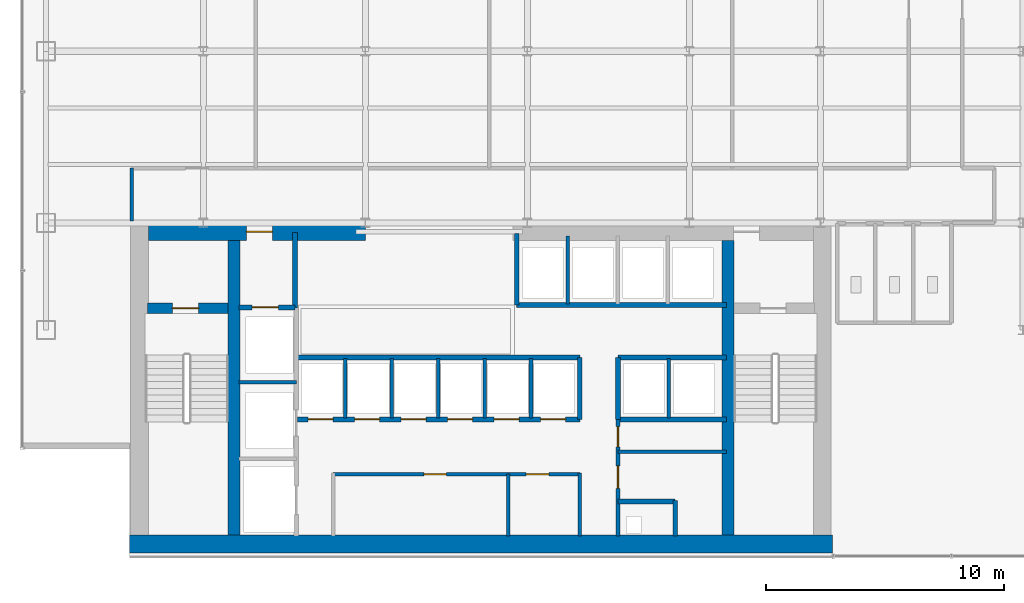
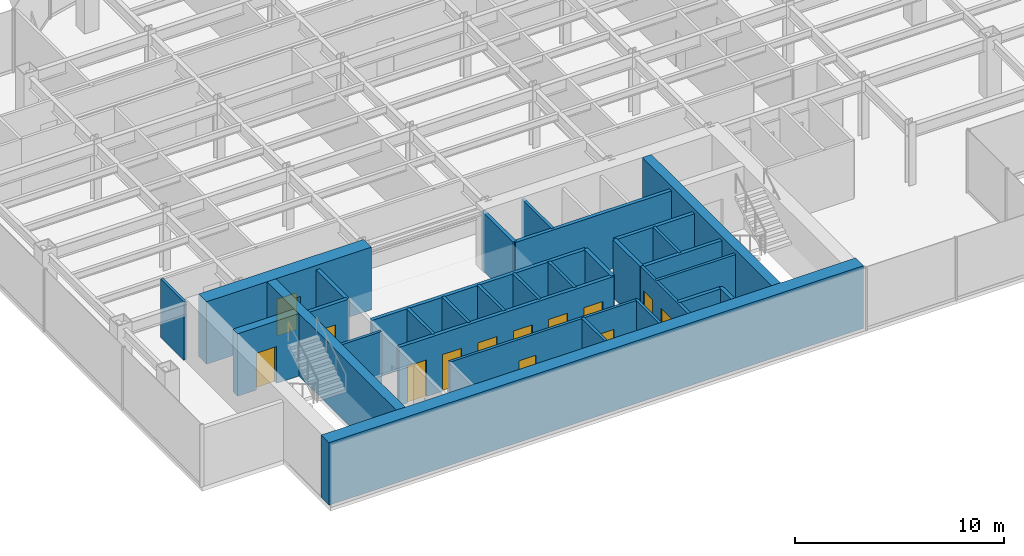
# One storey, part 21 of 26: 31 walls, 13 doors, 13 openings.
"""IFC4 building model written with IfcOpenShell, lengths in metres."""

from ifc_helpers import new_model, si_unit, derived_unit, direction, frame, frame_2d, origin, place, context, subcontext, project, spatial, rectangle, extrude, source, transform, mapped, material, layer, layer_set, type_object, element, fill, save


model = new_model("IFC4")

# Units and contexts
model_context = context("Model", 3, precision=1e-05, world=origin(), true_north=direction((0.0, 1.0)))
body_context = subcontext(model_context, "Body", "Model", "MODEL_VIEW")
ifc_project = project(units=[si_unit("LENGTHUNIT", "METRE"), si_unit("AREAUNIT", "SQUARE_METRE"), si_unit("VOLUMEUNIT", "CUBIC_METRE"), si_unit("PLANEANGLEUNIT", "RADIAN"), si_unit("MASSUNIT", "GRAM", prefix="KILO"), derived_unit("THERMALTRANSMITTANCEUNIT", [(si_unit("POWERUNIT", "WATT"), 1), (si_unit("LENGTHUNIT", "METRE"), -2), (si_unit("THERMODYNAMICTEMPERATUREUNIT", "KELVIN"), -1)])], contexts=[model_context])

# Site, building, storey
site_placement = place(None, origin())
site = spatial("IfcSite", under=ifc_project, at=site_placement, CompositionType="ELEMENT")
building_placement = place(site_placement, origin())
building = spatial("IfcBuilding", under=site, at=building_placement, Name="Skarnbrae Concourse Arena and Tower", CompositionType="ELEMENT")
storey_placement = place(building_placement, frame((0.0, 0.0, 121.5)))
storey = spatial("IfcBuildingStorey", under=building, at=storey_placement, Name="L30", CompositionType="ELEMENT", Elevation=121.5)

# Wall, opening, door
ifc_material_1 = material(Name="Concrete 50 MPa (C50/60)", Category="concrete")
ifc_layer_1 = layer(ifc_material_1, 0.449951171875)
ifc_layer_set_1 = layer_set([ifc_layer_1], Name="Concrete 50 MPa (C50/60)")
wall_type_1 = type_object("IfcWallType", Name="WALL-CORE-450-C50", PredefinedType="SHEAR", material=ifc_layer_set_1)
shared_shape_1 = source(origin(), body_context, "Body", "SweptSolid", [
    extrude(rectangle(XDim=3.389892578125, YDim=0.449951171875, at=frame_2d((1.69482421875, 0.0))), origin(), (0.0, 0.0, 1.0), 3.64990234375),
])
wall_1_placement = place(storey_placement, frame((5.25, 10.419921875, 0.0), z_axis=(0.0, 0.0, 1.0), x_axis=(1.0, 0.0, 0.0)))
wall_1 = element("IfcWall", 1, at=wall_1_placement, inside=storey, type_object=wall_type_1, Name="L30 Rear core shear wall CW-ST1-N", PredefinedType="SHEAR", context=body_context, shape_type="MappedRepresentation", body=[
    mapped(shared_shape_1, transform((0.0, 0.0, 0.0))),
])
opening_1_placement = place(wall_1_placement, frame((1.050048828125, 0.0, 0.0)))
opening_1 = element("IfcOpeningElement", 2, at=opening_1_placement, cuts=wall_1, Name="Opening DT-03", PredefinedType="OPENING", context=body_context, shape_type="SweptSolid", body=[
    extrude(rectangle(XDim=1.10009765625, YDim=2.14990234375, at=frame_2d((0.550048828125, 1.074951171875))), frame((0.0, 0.23486328125, 0.0), z_axis=(0.0, -1.0, 0.0), x_axis=(1.0, 0.0, 0.0)), (0.0, 0.0, 1.0), 0.469970703125),
])
ifc_material_2 = material(Name="Steel CSA G40.21 350W", Category="steel")
door_type_1 = type_object("IfcDoorType", Name="DOOR-FIRE-1100-90M", OperationType="NOTDEFINED", PredefinedType="DOOR", material=ifc_material_2)
shared_shape_2 = source(origin(), body_context, "Body", "SweptSolid", [
    extrude(rectangle(XDim=1.10009765625, YDim=2.14990234375, at=frame_2d((0.550048828125, 1.074951171875))), frame((0.0, 0.02490234375, 0.0), z_axis=(0.0, -1.0, 0.0), x_axis=(1.0, 0.0, 0.0)), (0.0, 0.0, 1.0), 0.050048828125),
])
door_1_placement = place(opening_1_placement, frame((1.10009765625, 0.0, 0.0), z_axis=(0.0, 0.0, 1.0), x_axis=(-1.0, 0.0, 0.0)))
door_1 = element("IfcDoor", 3, at=door_1_placement, inside=storey, type_object=door_type_1, Name="D-0971 Stair ST-1 Door", OperationType="SINGLE_SWING_LEFT", OverallHeight=2.14990234375, OverallWidth=1.10009765625, PredefinedType="DOOR", context=body_context, shape_type="MappedRepresentation", body=[
    mapped(shared_shape_2, transform((0.0, 0.0, 0.0))),
])
fill(opening_1, door_1)

# Wall
ifc_material_3 = material(Name="Concrete 60 MPa (C60/75)", Category="concrete")
ifc_layer_2 = layer(ifc_material_3, 0.75)
ifc_layer_set_2 = layer_set([ifc_layer_2], Name="Concrete 60 MPa (C60/75)")
wall_type_2 = type_object("IfcWallType", Name="WALL-CORE-750-C60", PredefinedType="SHEAR", material=ifc_layer_set_2)
shared_shape_3 = source(origin(), body_context, "Body", "SweptSolid", [
    extrude(rectangle(XDim=29.5, YDim=0.75, at=frame_2d((14.75, 0.0))), origin(), (0.0, 0.0, 1.0), 3.64990234375),
])
wall_2_placement = place(storey_placement, frame((4.5, 0.52490234375, 0.0), z_axis=(0.0, 0.0, 1.0), x_axis=(1.0, 0.0, 0.0)))
element("IfcWall", 4, at=wall_2_placement, inside=storey, type_object=wall_type_2, Name="L30 Rear core shear wall CW-S", PredefinedType="SHEAR", context=body_context, shape_type="MappedRepresentation", body=[
    mapped(shared_shape_3, transform((0.0, 0.0, 0.0))),
])

# Wall, opening, door
shared_shape_4 = source(origin(), body_context, "Body", "SweptSolid", [
    extrude(rectangle(XDim=9.099853515625, YDim=0.75, at=frame_2d((4.5498046875, 0.0))), origin(), (0.0, 0.0, 1.0), 3.64990234375),
])
wall_3_placement = place(storey_placement, frame((5.300048828125, 13.625, 0.0), z_axis=(0.0, 0.0, 1.0), x_axis=(1.0, 0.0, 0.0)))
wall_3 = element("IfcWall", 5, at=wall_3_placement, inside=storey, type_object=wall_type_2, Name="L30 Rear core shear wall CW-NW", PredefinedType="SHEAR", context=body_context, shape_type="MappedRepresentation", body=[
    mapped(shared_shape_4, transform((0.0, 0.0, 0.0))),
])
opening_2_placement = place(wall_3_placement, frame((4.10009765625, 0.0, 0.0)))
opening_2 = element("IfcOpeningElement", 6, at=opening_2_placement, cuts=wall_3, Name="Opening DT-03", PredefinedType="OPENING", context=body_context, shape_type="SweptSolid", body=[
    extrude(rectangle(XDim=1.10009765625, YDim=2.14990234375, at=frame_2d((0.550048828125, 1.074951171875))), frame((0.0, 0.385009765625, 0.0), z_axis=(0.0, -1.0, 0.0), x_axis=(1.0, 0.0, 0.0)), (0.0, 0.0, 1.0), 0.77001953125),
])
door_2_placement = place(opening_2_placement, origin())
door_2 = element("IfcDoor", 7, at=door_2_placement, inside=storey, type_object=door_type_1, Name="D-0973 Firefighting Lobby Exit Door", OperationType="SINGLE_SWING_RIGHT", OverallHeight=2.14990234375, OverallWidth=1.10009765625, PredefinedType="DOOR", context=body_context, shape_type="MappedRepresentation", body=[
    mapped(shared_shape_2, transform((0.0, 0.0, 0.0))),
])
fill(opening_2, door_2)

# Walls
ifc_layer_3 = layer(ifc_material_3, 0.5)
ifc_layer_set_3 = layer_set([ifc_layer_3], Name="Concrete 60 MPa (C60/75)")
wall_type_3 = type_object("IfcWallType", Name="WALL-CORE-500-C60", PredefinedType="SHEAR", material=ifc_layer_set_3)
shared_shape_5 = source(origin(), body_context, "Body", "SweptSolid", [
    extrude(rectangle(XDim=12.35009765625, YDim=0.5, at=frame_2d((6.175048828125, 0.0))), origin(), (0.0, 0.0, 1.0), 3.64990234375),
])
for number, where, z_axis, x_axis, name in (
    (8, (8.889892578125, 0.89990234375, 0.0), (0.0, 0.0, 1.0), (0.0, 1.0, 0.0), "L30 Rear core shear wall CW-WEB-W"),
    (9, (29.610107421875, 0.89990234375, 0.0), (0.0, 0.0, 1.0), (0.0, 1.0, 0.0), "L30 Rear core shear wall CW-WEB-E"),
):
    element("IfcWall", number, at=place(storey_placement, frame(where, z_axis=z_axis, x_axis=x_axis)), inside=storey, type_object=wall_type_3, Name=name, PredefinedType="SHEAR", context=body_context, shape_type="MappedRepresentation", body=[
        mapped(shared_shape_5, transform((0.0, 0.0, 0.0))),
    ])
ifc_material_4 = material(Name="Gypsum board on cold-formed steel studs", Category="steel")
ifc_layer_4 = layer(ifc_material_4, 0.199951171875)
ifc_layer_set_4 = layer_set([ifc_layer_4], Name="Gypsum board on cold-formed steel studs")
wall_type_4 = type_object("IfcWallType", Name="WALL-PART-200-2HR", PredefinedType="PARTITIONING", material=ifc_layer_set_4)
shared_shape_6 = source(origin(), body_context, "Body", "SweptSolid", [
    extrude(rectangle(XDim=3.18017578125, YDim=0.199951171875, at=frame_2d((1.590087890625, 0.0))), origin(), (0.0, 0.0, 1.0), 3.39990234375),
])
wall_4_placement = place(storey_placement, frame((11.449951171875, 10.419921875, 0.0), z_axis=(0.0, 0.0, 1.0), x_axis=(0.0, 1.0, 0.0)))
element("IfcWall", 10, at=wall_4_placement, inside=storey, type_object=wall_type_4, Name="L30 Interior partition wall W-L30-FFL-E", PredefinedType="PARTITIONING", context=body_context, shape_type="MappedRepresentation", body=[
    mapped(shared_shape_6, transform((0.0, 0.0, 0.0))),
])

# Wall, opening, door
shared_shape_7 = source(origin(), body_context, "Body", "SweptSolid", [
    extrude(rectangle(XDim=2.349853515625, YDim=0.199951171875, at=frame_2d((1.1748046875, 0.0))), origin(), (0.0, 0.0, 1.0), 3.39990234375),
])
wall_5_placement = place(storey_placement, frame((9.10009765625, 10.449951171875, 0.0), z_axis=(0.0, 0.0, 1.0), x_axis=(1.0, 0.0, 0.0)))
wall_5 = element("IfcWall", 11, at=wall_5_placement, inside=storey, type_object=wall_type_4, Name="L30 Interior partition wall W-L30-FL1-N", PredefinedType="PARTITIONING", context=body_context, shape_type="MappedRepresentation", body=[
    mapped(shared_shape_7, transform((0.0, 0.0, 0.0))),
])
opening_3_placement = place(wall_5_placement, frame((0.550048828125, 0.0, 0.0)))
opening_3 = element("IfcOpeningElement", 12, at=opening_3_placement, cuts=wall_5, Name="Opening LD-01", PredefinedType="OPENING", context=body_context, shape_type="SweptSolid", body=[
    extrude(rectangle(XDim=1.10009765625, YDim=2.14990234375, at=frame_2d((0.550048828125, 1.074951171875))), frame((0.0, 0.10986328125, 0.0), z_axis=(0.0, -1.0, 0.0), x_axis=(1.0, 0.0, 0.0)), (0.0, 0.0, 1.0), 0.219970703125),
])
door_type_2 = type_object("IfcDoorType", Name="DOOR-LIFT-SLIDE-1100", OperationType="SLIDING_TO_LEFT", PredefinedType="DOOR", material=ifc_material_2)
door_3_placement = place(opening_3_placement, origin())
door_3 = element("IfcDoor", 13, at=door_3_placement, inside=storey, type_object=door_type_2, Name="D-0975 Firefighting Lift Landing Door FL-01", OperationType="SLIDING_TO_LEFT", OverallHeight=2.14990234375, OverallWidth=1.10009765625, PredefinedType="DOOR", context=body_context, shape_type="MappedRepresentation", body=[
    mapped(shared_shape_2, transform((0.0, 0.0, 0.0))),
])
fill(opening_3, door_3)

# Walls
ifc_layer_5 = layer(ifc_material_4, 0.14990234375)
ifc_layer_set_5 = layer_set([ifc_layer_5], Name="Gypsum board on cold-formed steel studs")
wall_type_5 = type_object("IfcWallType", Name="WALL-PART-150", PredefinedType="PARTITIONING", material=ifc_layer_set_5)
shared_shape_8 = source(origin(), body_context, "Body", "SweptSolid", [
    extrude(rectangle(XDim=2.39990234375, YDim=0.14990234375, at=frame_2d((1.199951171875, 0.0))), origin(), (0.0, 0.0, 1.0), 3.39990234375),
])
wall_6_placement = place(storey_placement, frame((9.10009765625, 7.300048828125, 0.0), z_axis=(0.0, 0.0, 1.0), x_axis=(1.0, 0.0, 0.0)))
element("IfcWall", 14, at=wall_6_placement, inside=storey, type_object=wall_type_5, Name="L30 Interior partition wall W-L30-FL-D2", PredefinedType="PARTITIONING", context=body_context, shape_type="MappedRepresentation", body=[
    mapped(shared_shape_8, transform((0.0, 0.0, 0.0))),
])
shared_shape_9 = source(origin(), body_context, "Body", "SweptSolid", [
    extrude(rectangle(XDim=2.599853515625, YDim=0.14990234375, at=frame_2d((1.2998046875, 0.0))), origin(), (0.0, 0.0, 1.0), 3.39990234375),
])
wall_7_placement = place(storey_placement, frame((20.39990234375, 0.85009765625, 0.0), z_axis=(0.0, 0.0, 1.0), x_axis=(0.0, 1.0, 0.0)))
element("IfcWall", 15, at=wall_7_placement, inside=storey, type_object=wall_type_5, Name="L30 Interior partition wall W-L30-B1M-C1", PredefinedType="PARTITIONING", context=body_context, shape_type="MappedRepresentation", body=[
    mapped(shared_shape_9, transform((0.0, 0.0, 0.0))),
])

# Wall, openings, doors
shared_shape_10 = source(origin(), body_context, "Body", "SweptSolid", [
    extrude(rectangle(XDim=11.849853515625, YDim=0.199951171875, at=frame_2d((5.9248046875, 0.0))), origin(), (0.0, 0.0, 1.0), 3.39990234375),
])
wall_8_placement = place(storey_placement, frame((11.550048828125, 5.75, 0.0), z_axis=(0.0, 0.0, 1.0), x_axis=(1.0, 0.0, 0.0)))
wall_8 = element("IfcWall", 16, at=wall_8_placement, inside=storey, type_object=wall_type_4, Name="L30 Interior partition wall W-L30-B2-S", PredefinedType="PARTITIONING", context=body_context, shape_type="MappedRepresentation", body=[
    mapped(shared_shape_10, transform((0.0, 0.0, 0.0))),
])
opening_4_placement = place(wall_8_placement, frame((0.449951171875, 0.0, 0.0)))
opening_4 = element("IfcOpeningElement", 17, at=opening_4_placement, cuts=wall_8, Name="Opening LD-03", PredefinedType="OPENING", context=body_context, shape_type="SweptSolid", body=[
    extrude(rectangle(XDim=1.050048828125, YDim=2.14990234375, at=frame_2d((0.52490234375, 1.074951171875))), frame((0.0, 0.10986328125, 0.0), z_axis=(0.0, -1.0, 0.0), x_axis=(1.0, 0.0, 0.0)), (0.0, 0.0, 1.0), 0.219970703125),
])
opening_5_placement = place(wall_8_placement, frame((2.39990234375, 0.0, 0.0)))
opening_5 = element("IfcOpeningElement", 18, at=opening_5_placement, cuts=wall_8, Name="Opening LD-03", PredefinedType="OPENING", context=body_context, shape_type="SweptSolid", body=[
    extrude(rectangle(XDim=1.050048828125, YDim=2.14990234375, at=frame_2d((0.52490234375, 1.074951171875))), frame((0.0, 0.10986328125, 0.0), z_axis=(0.0, -1.0, 0.0), x_axis=(1.0, 0.0, 0.0)), (0.0, 0.0, 1.0), 0.219970703125),
])
opening_6_placement = place(wall_8_placement, frame((4.35009765625, 0.0, 0.0)))
opening_6 = element("IfcOpeningElement", 19, at=opening_6_placement, cuts=wall_8, Name="Opening LD-03", PredefinedType="OPENING", context=body_context, shape_type="SweptSolid", body=[
    extrude(rectangle(XDim=1.050048828125, YDim=2.14990234375, at=frame_2d((0.52490234375, 1.074951171875))), frame((0.0, 0.10986328125, 0.0), z_axis=(0.0, -1.0, 0.0), x_axis=(1.0, 0.0, 0.0)), (0.0, 0.0, 1.0), 0.219970703125),
])
opening_7_placement = place(wall_8_placement, frame((6.300048828125, 0.0, 0.0)))
opening_7 = element("IfcOpeningElement", 20, at=opening_7_placement, cuts=wall_8, Name="Opening LD-03", PredefinedType="OPENING", context=body_context, shape_type="SweptSolid", body=[
    extrude(rectangle(XDim=1.050048828125, YDim=2.14990234375, at=frame_2d((0.52490234375, 1.074951171875))), frame((0.0, 0.10986328125, 0.0), z_axis=(0.0, -1.0, 0.0), x_axis=(1.0, 0.0, 0.0)), (0.0, 0.0, 1.0), 0.219970703125),
])
opening_8_placement = place(wall_8_placement, frame((8.25, 0.0, 0.0)))
opening_8 = element("IfcOpeningElement", 21, at=opening_8_placement, cuts=wall_8, Name="Opening LD-03", PredefinedType="OPENING", context=body_context, shape_type="SweptSolid", body=[
    extrude(rectangle(XDim=1.050048828125, YDim=2.14990234375, at=frame_2d((0.52490234375, 1.074951171875))), frame((0.0, 0.10986328125, 0.0), z_axis=(0.0, -1.0, 0.0), x_axis=(1.0, 0.0, 0.0)), (0.0, 0.0, 1.0), 0.219970703125),
])
opening_9_placement = place(wall_8_placement, frame((10.199951171875, 0.0, 0.0)))
opening_9 = element("IfcOpeningElement", 22, at=opening_9_placement, cuts=wall_8, Name="Opening LD-03", PredefinedType="OPENING", context=body_context, shape_type="SweptSolid", body=[
    extrude(rectangle(XDim=1.050048828125, YDim=2.14990234375, at=frame_2d((0.52490234375, 1.074951171875))), frame((0.0, 0.10986328125, 0.0), z_axis=(0.0, -1.0, 0.0), x_axis=(1.0, 0.0, 0.0)), (0.0, 0.0, 1.0), 0.219970703125),
])
ifc_material_5 = material(Name="Bronze anodised aluminium 6063-T6", Category="aluminium")
door_type_3 = type_object("IfcDoorType", Name="DOOR-LIFT-SLIDE-1050", OperationType="SLIDING_TO_LEFT", PredefinedType="DOOR", material=ifc_material_5)
shared_shape_11 = source(origin(), body_context, "Body", "SweptSolid", [
    extrude(rectangle(XDim=1.050048828125, YDim=2.14990234375, at=frame_2d((0.52490234375, 1.074951171875))), frame((0.0, 0.02490234375, 0.0), z_axis=(0.0, -1.0, 0.0), x_axis=(1.0, 0.0, 0.0)), (0.0, 0.0, 1.0), 0.050048828125),
])
door_4_placement = place(opening_4_placement, frame((1.050048828125, 0.0, 0.0), z_axis=(0.0, 0.0, 1.0), x_axis=(-1.0, 0.0, 0.0)))
door_4 = element("IfcDoor", 23, at=door_4_placement, inside=storey, type_object=door_type_3, Name="D-0980 Passenger Lift Landing Door PL-2A", OperationType="SLIDING_TO_LEFT", OverallHeight=2.14990234375, OverallWidth=1.050048828125, PredefinedType="DOOR", context=body_context, shape_type="MappedRepresentation", body=[
    mapped(shared_shape_11, transform((0.0, 0.0, 0.0))),
])
fill(opening_4, door_4)
door_5_placement = place(opening_5_placement, frame((1.050048828125, 0.0, 0.0), z_axis=(0.0, 0.0, 1.0), x_axis=(-1.0, 0.0, 0.0)))
door_5 = element("IfcDoor", 24, at=door_5_placement, inside=storey, type_object=door_type_3, Name="D-0981 Passenger Lift Landing Door PL-2B", OperationType="SLIDING_TO_LEFT", OverallHeight=2.14990234375, OverallWidth=1.050048828125, PredefinedType="DOOR", context=body_context, shape_type="MappedRepresentation", body=[
    mapped(shared_shape_11, transform((0.0, 0.0, 0.0))),
])
fill(opening_5, door_5)
door_6_placement = place(opening_6_placement, frame((1.050048828125, 0.0, 0.0), z_axis=(0.0, 0.0, 1.0), x_axis=(-1.0, 0.0, 0.0)))
door_6 = element("IfcDoor", 25, at=door_6_placement, inside=storey, type_object=door_type_3, Name="D-0982 Passenger Lift Landing Door PL-2C", OperationType="SLIDING_TO_LEFT", OverallHeight=2.14990234375, OverallWidth=1.050048828125, PredefinedType="DOOR", context=body_context, shape_type="MappedRepresentation", body=[
    mapped(shared_shape_11, transform((0.0, 0.0, 0.0))),
])
fill(opening_6, door_6)
door_7_placement = place(opening_7_placement, frame((1.050048828125, 0.0, 0.0), z_axis=(0.0, 0.0, 1.0), x_axis=(-1.0, 0.0, 0.0)))
door_7 = element("IfcDoor", 26, at=door_7_placement, inside=storey, type_object=door_type_3, Name="D-0983 Passenger Lift Landing Door PL-2D", OperationType="SLIDING_TO_LEFT", OverallHeight=2.14990234375, OverallWidth=1.050048828125, PredefinedType="DOOR", context=body_context, shape_type="MappedRepresentation", body=[
    mapped(shared_shape_11, transform((0.0, 0.0, 0.0))),
])
fill(opening_7, door_7)
door_8_placement = place(opening_8_placement, frame((1.050048828125, 0.0, 0.0), z_axis=(0.0, 0.0, 1.0), x_axis=(-1.0, 0.0, 0.0)))
door_8 = element("IfcDoor", 27, at=door_8_placement, inside=storey, type_object=door_type_3, Name="D-0984 Passenger Lift Landing Door PL-2E", OperationType="SLIDING_TO_LEFT", OverallHeight=2.14990234375, OverallWidth=1.050048828125, PredefinedType="DOOR", context=body_context, shape_type="MappedRepresentation", body=[
    mapped(shared_shape_11, transform((0.0, 0.0, 0.0))),
])
fill(opening_8, door_8)
door_9_placement = place(opening_9_placement, frame((1.050048828125, 0.0, 0.0), z_axis=(0.0, 0.0, 1.0), x_axis=(-1.0, 0.0, 0.0)))
door_9 = element("IfcDoor", 28, at=door_9_placement, inside=storey, type_object=door_type_3, Name="D-0985 Passenger Lift Landing Door PL-2F", OperationType="SLIDING_TO_LEFT", OverallHeight=2.14990234375, OverallWidth=1.050048828125, PredefinedType="DOOR", context=body_context, shape_type="MappedRepresentation", body=[
    mapped(shared_shape_11, transform((0.0, 0.0, 0.0))),
])
fill(opening_9, door_9)

# Walls
wall_9_placement = place(storey_placement, frame((11.550048828125, 8.35009765625, 0.0), z_axis=(0.0, 0.0, 1.0), x_axis=(1.0, 0.0, 0.0)))
element("IfcWall", 29, at=wall_9_placement, inside=storey, type_object=wall_type_4, Name="L30 Interior partition wall W-L30-B2-N", PredefinedType="PARTITIONING", context=body_context, shape_type="MappedRepresentation", body=[
    mapped(shared_shape_10, transform((0.0, 0.0, 0.0))),
])
shared_shape_12 = source(origin(), body_context, "Body", "SweptSolid", [
    extrude(rectangle(XDim=2.60009765625, YDim=0.199951171875, at=frame_2d((1.300048828125, 0.0))), origin(), (0.0, 0.0, 1.0), 3.39990234375),
])
for number, where, z_axis, x_axis, name in (
    (30, (23.39990234375, 5.75, 0.0), (0.0, 0.0, 1.0), (0.0, 1.0, 0.0), "L30 Interior partition wall W-L30-B2-E"),
    (31, (25.0, 5.75, 0.0), (0.0, 0.0, 1.0), (0.0, 1.0, 0.0), "L30 Interior partition wall W-L30-B3S-W"),
):
    element("IfcWall", number, at=place(storey_placement, frame(where, z_axis=z_axis, x_axis=x_axis)), inside=storey, type_object=wall_type_4, Name=name, PredefinedType="PARTITIONING", context=body_context, shape_type="MappedRepresentation", body=[
        mapped(shared_shape_12, transform((0.0, 0.0, 0.0))),
    ])
shared_shape_13 = source(origin(), body_context, "Body", "SweptSolid", [
    extrude(rectangle(XDim=2.5, YDim=0.14990234375, at=frame_2d((1.25, 0.0))), origin(), (0.0, 0.0, 1.0), 3.39990234375),
])
for number, where, z_axis, x_axis, name in (
    (32, (13.550048828125, 5.800048828125, 0.0), (0.0, 0.0, 1.0), (0.0, 1.0, 0.0), "L30 Interior partition wall W-L30-B2-P1"),
    (33, (15.5, 5.800048828125, 0.0), (0.0, 0.0, 1.0), (0.0, 1.0, 0.0), "L30 Interior partition wall W-L30-B2-P2"),
    (34, (17.449951171875, 5.800048828125, 0.0), (0.0, 0.0, 1.0), (0.0, 1.0, 0.0), "L30 Interior partition wall W-L30-B2-P3"),
    (35, (19.39990234375, 5.800048828125, 0.0), (0.0, 0.0, 1.0), (0.0, 1.0, 0.0), "L30 Interior partition wall W-L30-B2-P4"),
    (36, (21.35009765625, 5.800048828125, 0.0), (0.0, 0.0, 1.0), (0.0, 1.0, 0.0), "L30 Interior partition wall W-L30-B2-P5"),
    (37, (27.139892578125, 5.800048828125, 0.0), (0.0, 0.0, 1.0), (0.0, 1.0, 0.0), "L30 Interior partition wall W-L30-B3S-P1"),
):
    element("IfcWall", number, at=place(storey_placement, frame(where, z_axis=z_axis, x_axis=x_axis)), inside=storey, type_object=wall_type_5, Name=name, PredefinedType="PARTITIONING", context=body_context, shape_type="MappedRepresentation", body=[
        mapped(shared_shape_13, transform((0.0, 0.0, 0.0))),
    ])
shared_shape_14 = source(origin(), body_context, "Body", "SweptSolid", [
    extrude(rectangle(XDim=8.800048828125, YDim=0.199951171875, at=frame_2d((4.39990234375, 0.0))), origin(), (0.0, 0.0, 1.0), 3.39990234375),
])
wall_10_placement = place(storey_placement, frame((20.75, 10.550048828125, 0.0), z_axis=(0.0, 0.0, 1.0), x_axis=(1.0, 0.0, 0.0)))
element("IfcWall", 38, at=wall_10_placement, inside=storey, type_object=wall_type_4, Name="L30 Interior partition wall W-L30-B3N-S", PredefinedType="PARTITIONING", context=body_context, shape_type="MappedRepresentation", body=[
    mapped(shared_shape_14, transform((0.0, 0.0, 0.0))),
])
shared_shape_15 = source(origin(), body_context, "Body", "SweptSolid", [
    extrude(rectangle(XDim=3.0, YDim=0.199951171875, at=frame_2d((1.5, 0.0))), origin(), (0.0, 0.0, 1.0), 3.39990234375),
])
wall_11_placement = place(storey_placement, frame((20.75, 10.550048828125, 0.0), z_axis=(0.0, 0.0, 1.0), x_axis=(0.0, 1.0, 0.0)))
element("IfcWall", 39, at=wall_11_placement, inside=storey, type_object=wall_type_4, Name="L30 Interior partition wall W-L30-B3N-W", PredefinedType="PARTITIONING", context=body_context, shape_type="MappedRepresentation", body=[
    mapped(shared_shape_15, transform((0.0, 0.0, 0.0))),
])
shared_shape_16 = source(origin(), body_context, "Body", "SweptSolid", [
    extrude(rectangle(XDim=2.849853515625, YDim=0.14990234375, at=frame_2d((1.4248046875, 0.0))), origin(), (0.0, 0.0, 1.0), 3.39990234375),
])
wall_12_placement = place(storey_placement, frame((22.889892578125, 10.60009765625, 0.0), z_axis=(0.0, 0.0, 1.0), x_axis=(0.0, 1.0, 0.0)))
element("IfcWall", 40, at=wall_12_placement, inside=storey, type_object=wall_type_5, Name="L30 Interior partition wall W-L30-B3N-P1", PredefinedType="PARTITIONING", context=body_context, shape_type="MappedRepresentation", body=[
    mapped(shared_shape_16, transform((0.0, 0.0, 0.0))),
])
shared_shape_17 = source(origin(), body_context, "Body", "SweptSolid", [
    extrude(rectangle(XDim=4.550048828125, YDim=0.199951171875, at=frame_2d((2.27490234375, 0.0))), origin(), (0.0, 0.0, 1.0), 3.39990234375),
])
for number, where, z_axis, x_axis, name in (
    (41, (25.0, 8.35009765625, 0.0), (0.0, 0.0, 1.0), (1.0, 0.0, 0.0), "L30 Interior partition wall W-L30-B3S-N"),
    (42, (25.0, 5.75, 0.0), (0.0, 0.0, 1.0), (1.0, 0.0, 0.0), "L30 Interior partition wall W-L30-B3S-S"),
):
    element("IfcWall", number, at=place(storey_placement, frame(where, z_axis=z_axis, x_axis=x_axis)), inside=storey, type_object=wall_type_4, Name=name, PredefinedType="PARTITIONING", context=body_context, shape_type="MappedRepresentation", body=[
        mapped(shared_shape_17, transform((0.0, 0.0, 0.0))),
    ])

# Wall, openings, doors
ifc_layer_6 = layer(ifc_material_4, 0.14990234375)
ifc_layer_set_6 = layer_set([ifc_layer_6], Name="Gypsum board on cold-formed steel studs")
wall_type_6 = type_object("IfcWallType", Name="WALL-PART-150-1HR", PredefinedType="PARTITIONING", material=ifc_layer_set_6)
shared_shape_18 = source(origin(), body_context, "Body", "SweptSolid", [
    extrude(rectangle(XDim=4.89990234375, YDim=0.14990234375, at=frame_2d((2.449951171875, 0.0))), origin(), (0.0, 0.0, 1.0), 3.39990234375),
])
wall_13_placement = place(storey_placement, frame((25.0, 0.85009765625, 0.0), z_axis=(0.0, 0.0, 1.0), x_axis=(0.0, 1.0, 0.0)))
wall_13 = element("IfcWall", 43, at=wall_13_placement, inside=storey, type_object=wall_type_6, Name="L30 Interior partition wall W-L30-CSV-W", PredefinedType="PARTITIONING", context=body_context, shape_type="MappedRepresentation", body=[
    mapped(shared_shape_18, transform((0.0, 0.0, 0.0))),
])
opening_10_placement = place(wall_13_placement, frame((2.0, 0.0, 0.0)))
opening_10 = element("IfcOpeningElement", 44, at=opening_10_placement, cuts=wall_13, Name="Opening DT-04", PredefinedType="OPENING", context=body_context, shape_type="SweptSolid", body=[
    extrude(rectangle(XDim=0.949951171875, YDim=2.14990234375, at=frame_2d((0.47509765625, 1.074951171875))), frame((0.0, 0.0849609375, 0.0), z_axis=(0.0, -1.0, 0.0), x_axis=(1.0, 0.0, 0.0)), (0.0, 0.0, 1.0), 0.169921875),
])
opening_11_placement = place(wall_13_placement, frame((3.75, 0.0, 0.0)))
opening_11 = element("IfcOpeningElement", 45, at=opening_11_placement, cuts=wall_13, Name="Opening DT-08", PredefinedType="OPENING", context=body_context, shape_type="SweptSolid", body=[
    extrude(rectangle(XDim=0.85009765625, YDim=2.14990234375, at=frame_2d((0.425048828125, 1.074951171875))), frame((0.0, 0.0849609375, 0.0), z_axis=(0.0, -1.0, 0.0), x_axis=(1.0, 0.0, 0.0)), (0.0, 0.0, 1.0), 0.169921875),
])
door_type_4 = type_object("IfcDoorType", Name="DOOR-INT-950-45M", OperationType="NOTDEFINED", PredefinedType="DOOR", material=ifc_material_2)
shared_shape_19 = source(origin(), body_context, "Body", "SweptSolid", [
    extrude(rectangle(XDim=0.949951171875, YDim=2.14990234375, at=frame_2d((0.47509765625, 1.074951171875))), frame((0.0, 0.02490234375, 0.0), z_axis=(0.0, -1.0, 0.0), x_axis=(1.0, 0.0, 0.0)), (0.0, 0.0, 1.0), 0.050048828125),
])
door_10_placement = place(opening_10_placement, origin())
door_10 = element("IfcDoor", 46, at=door_10_placement, inside=storey, type_object=door_type_4, Name="D-0986 Telemetry Room Door", OperationType="SINGLE_SWING_LEFT", OverallHeight=2.14990234375, OverallWidth=0.949951171875, PredefinedType="DOOR", context=body_context, shape_type="MappedRepresentation", body=[
    mapped(shared_shape_19, transform((0.0, 0.0, 0.0))),
])
fill(opening_10, door_10)
door_type_5 = type_object("IfcDoorType", Name="DOOR-INT-850-45M", OperationType="NOTDEFINED", PredefinedType="DOOR", material=ifc_material_2)
shared_shape_20 = source(origin(), body_context, "Body", "SweptSolid", [
    extrude(rectangle(XDim=0.85009765625, YDim=2.14990234375, at=frame_2d((0.425048828125, 1.074951171875))), frame((0.0, 0.02490234375, 0.0), z_axis=(0.0, -1.0, 0.0), x_axis=(1.0, 0.0, 0.0)), (0.0, 0.0, 1.0), 0.050048828125),
])
door_11_placement = place(opening_11_placement, origin())
door_11 = element("IfcDoor", 47, at=door_11_placement, inside=storey, type_object=door_type_5, Name="D-0987 Recycling Room Door", OperationType="SINGLE_SWING_RIGHT", OverallHeight=2.14990234375, OverallWidth=0.85009765625, PredefinedType="DOOR", context=body_context, shape_type="MappedRepresentation", body=[
    mapped(shared_shape_20, transform((0.0, 0.0, 0.0))),
])
fill(opening_11, door_11)

# Walls
shared_shape_21 = source(origin(), body_context, "Body", "SweptSolid", [
    extrude(rectangle(XDim=2.39990234375, YDim=0.199951171875, at=frame_2d((1.199951171875, 0.0))), origin(), (0.0, 0.0, 1.0), 3.39990234375),
])
wall_14_placement = place(storey_placement, frame((25.0, 2.300048828125, 0.0), z_axis=(0.0, 0.0, 1.0), x_axis=(1.0, 0.0, 0.0)))
element("IfcWall", 48, at=wall_14_placement, inside=storey, type_object=wall_type_4, Name="L30 Interior partition wall W-L30-MEP-N", PredefinedType="PARTITIONING", context=body_context, shape_type="MappedRepresentation", body=[
    mapped(shared_shape_21, transform((0.0, 0.0, 0.0))),
])
shared_shape_22 = source(origin(), body_context, "Body", "SweptSolid", [
    extrude(rectangle(XDim=1.5, YDim=0.199951171875, at=frame_2d((0.75, 0.0))), origin(), (0.0, 0.0, 1.0), 3.39990234375),
])
wall_15_placement = place(storey_placement, frame((27.39990234375, 0.85009765625, 0.0), z_axis=(0.0, 0.0, 1.0), x_axis=(0.0, 1.0, 0.0)))
element("IfcWall", 49, at=wall_15_placement, inside=storey, type_object=wall_type_4, Name="L30 Interior partition wall W-L30-MEP-E", PredefinedType="PARTITIONING", context=body_context, shape_type="MappedRepresentation", body=[
    mapped(shared_shape_22, transform((0.0, 0.0, 0.0))),
])
shared_shape_23 = source(origin(), body_context, "Body", "SweptSolid", [
    extrude(rectangle(XDim=4.550048828125, YDim=0.14990234375, at=frame_2d((2.27490234375, 0.0))), origin(), (0.0, 0.0, 1.0), 3.39990234375),
])
wall_16_placement = place(storey_placement, frame((25.0, 4.39990234375, 0.0), z_axis=(0.0, 0.0, 1.0), x_axis=(1.0, 0.0, 0.0)))
element("IfcWall", 50, at=wall_16_placement, inside=storey, type_object=wall_type_5, Name="L30 Interior partition wall W-L30-CSV-H", PredefinedType="PARTITIONING", context=body_context, shape_type="MappedRepresentation", body=[
    mapped(shared_shape_23, transform((0.0, 0.0, 0.0))),
])
shared_shape_24 = source(origin(), body_context, "Body", "SweptSolid", [
    extrude(rectangle(XDim=2.64990234375, YDim=0.14990234375, at=frame_2d((1.324951171875, 0.0))), origin(), (0.0, 0.0, 1.0), 3.39990234375),
])
wall_17_placement = place(storey_placement, frame((23.39990234375, 0.85009765625, 0.0), z_axis=(0.0, 0.0, 1.0), x_axis=(0.0, 1.0, 0.0)))
element("IfcWall", 51, at=wall_17_placement, inside=storey, type_object=wall_type_6, Name="L30 Interior partition wall W-L30-B1M-E", PredefinedType="PARTITIONING", context=body_context, shape_type="MappedRepresentation", body=[
    mapped(shared_shape_24, transform((0.0, 0.0, 0.0))),
])

# Wall, openings, doors
shared_shape_25 = source(origin(), body_context, "Body", "SweptSolid", [
    extrude(rectangle(XDim=10.349853515625, YDim=0.14990234375, at=frame_2d((5.1748046875, 0.0))), origin(), (0.0, 0.0, 1.0), 3.39990234375),
])
wall_18_placement = place(storey_placement, frame((13.050048828125, 3.449951171875, 0.0), z_axis=(0.0, 0.0, 1.0), x_axis=(1.0, 0.0, 0.0)))
wall_18 = element("IfcWall", 52, at=wall_18_placement, inside=storey, type_object=wall_type_6, Name="L30 Interior partition wall W-L30-B1M-N", PredefinedType="PARTITIONING", context=body_context, shape_type="MappedRepresentation", body=[
    mapped(shared_shape_25, transform((0.0, 0.0, 0.0))),
])
opening_12_placement = place(wall_18_placement, frame((3.800048828125, 0.0, 0.0)))
opening_12 = element("IfcOpeningElement", 53, at=opening_12_placement, cuts=wall_18, Name="Opening DT-04", PredefinedType="OPENING", context=body_context, shape_type="SweptSolid", body=[
    extrude(rectangle(XDim=0.949951171875, YDim=2.14990234375, at=frame_2d((0.47509765625, 1.074951171875))), frame((0.0, 0.0849609375, 0.0), z_axis=(0.0, -1.0, 0.0), x_axis=(1.0, 0.0, 0.0)), (0.0, 0.0, 1.0), 0.169921875),
])
opening_13_placement = place(wall_18_placement, frame((8.10009765625, 0.0, 0.0)))
opening_13 = element("IfcOpeningElement", 54, at=opening_13_placement, cuts=wall_18, Name="Opening DT-04", PredefinedType="OPENING", context=body_context, shape_type="SweptSolid", body=[
    extrude(rectangle(XDim=0.949951171875, YDim=2.14990234375, at=frame_2d((0.47509765625, 1.074951171875))), frame((0.0, 0.0849609375, 0.0), z_axis=(0.0, -1.0, 0.0), x_axis=(1.0, 0.0, 0.0)), (0.0, 0.0, 1.0), 0.169921875),
])
door_12_placement = place(opening_12_placement, origin())
door_12 = element("IfcDoor", 55, at=door_12_placement, inside=storey, type_object=door_type_4, Name="D-0978 Staff Locker Door", OperationType="SINGLE_SWING_LEFT", OverallHeight=2.14990234375, OverallWidth=0.949951171875, PredefinedType="DOOR", context=body_context, shape_type="MappedRepresentation", body=[
    mapped(shared_shape_19, transform((0.0, 0.0, 0.0))),
])
fill(opening_12, door_12)
door_13_placement = place(opening_13_placement, origin())
door_13 = element("IfcDoor", 56, at=door_13_placement, inside=storey, type_object=door_type_4, Name="D-0979 Janitor Store Door", OperationType="SINGLE_SWING_RIGHT", OverallHeight=2.14990234375, OverallWidth=0.949951171875, PredefinedType="DOOR", context=body_context, shape_type="MappedRepresentation", body=[
    mapped(shared_shape_19, transform((0.0, 0.0, 0.0))),
])
fill(opening_13, door_13)

# Wall
shared_shape_26 = source(origin(), body_context, "Body", "SweptSolid", [
    extrude(rectangle(XDim=2.219970703125, YDim=0.14990234375, at=frame_2d((1.10986328125, 0.0))), origin(), (0.0, 0.0, 1.0), 3.39990234375),
])
wall_19_placement = place(storey_placement, frame((4.60009765625, 14.080078125, 0.0), z_axis=(0.0, 0.0, 1.0), x_axis=(0.0, 1.0, 0.0)))
element("IfcWall", 57, at=wall_19_placement, inside=storey, type_object=wall_type_6, Name="L30 Interior partition wall W-L30-COR-01", PredefinedType="PARTITIONING", context=body_context, shape_type="MappedRepresentation", body=[
    mapped(shared_shape_26, transform((0.0, 0.0, 0.0))),
])

save(model, "model.ifc")
